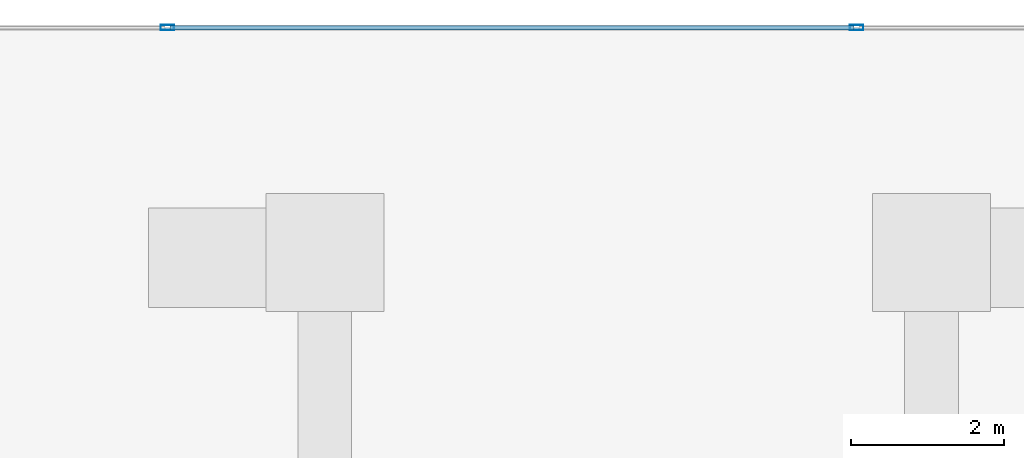
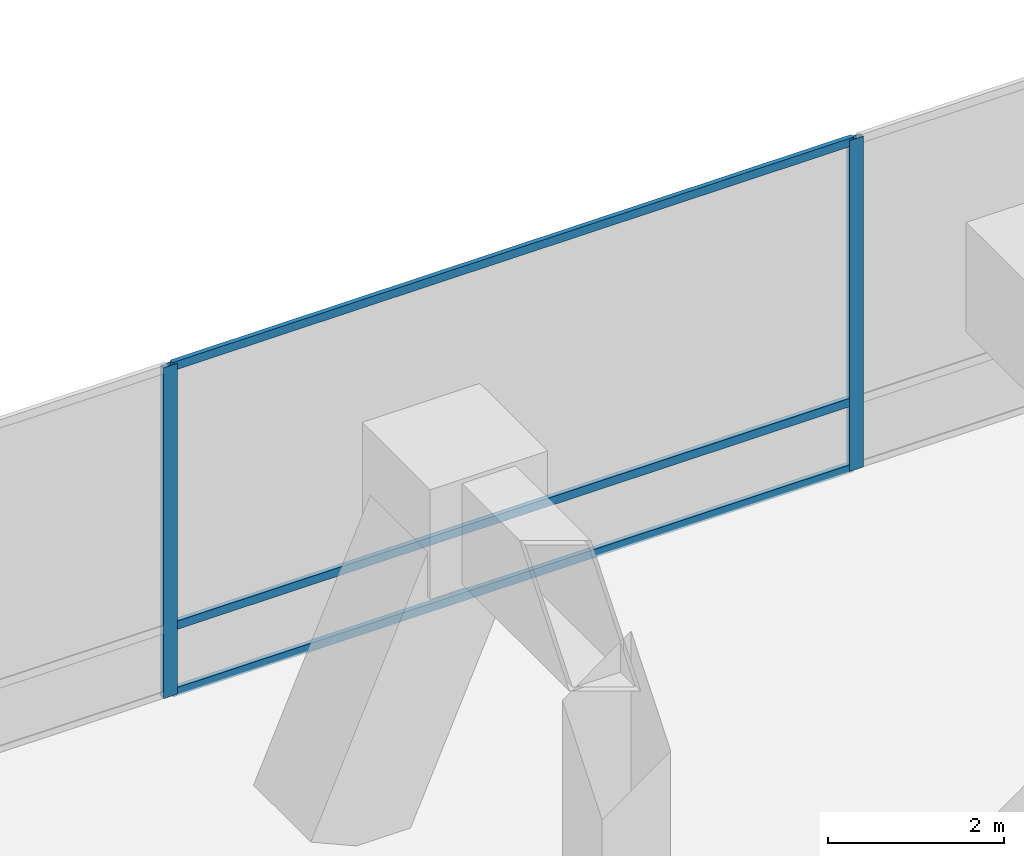
# One storey, part 23 of 45: 5 members, 1 element without a shape of its own.
"""IFC4 building model written with IfcOpenShell, lengths in metres."""

from ifc_helpers import new_model, si_unit, direction, frame, origin, origin_2d, place, context, subcontext, project, spatial, hollow_rectangle, extrude, material, layer, layer_set, material_profile, profile_set, type_object, element, aggregate, save


model = new_model("IFC4")

# Units and contexts
model_context = context("Model", 3, precision=1e-05, world=origin(), true_north=direction((0.0, 1.0)))
body_context = subcontext(model_context, "Body", "Model", "MODEL_VIEW")
ifc_project = project(units=[si_unit("LENGTHUNIT", "METRE"), si_unit("AREAUNIT", "SQUARE_METRE"), si_unit("VOLUMEUNIT", "CUBIC_METRE"), si_unit("PLANEANGLEUNIT", "RADIAN"), si_unit("MASSUNIT", "GRAM", prefix="KILO")], contexts=[model_context])

# Site, building, storey
site_placement = place(None, origin())
site = spatial("IfcSite", under=ifc_project, at=site_placement, CompositionType="ELEMENT")
building_placement = place(site_placement, origin())
building = spatial("IfcBuilding", under=site, at=building_placement, Name="Qianvela Tower", CompositionType="ELEMENT")
storey_placement = place(building_placement, frame((0.0, 0.0, 11.0)))
storey = spatial("IfcBuildingStorey", under=building, at=storey_placement, Name="L02", CompositionType="ELEMENT", Elevation=11.0)

# Curtain wall, members
ifc_material_1 = material(Name="Anodised Architectural Aluminium and Low-E Glass", Category="aluminium")
ifc_layer = layer(ifc_material_1, 0.179931640625)
ifc_layer_set = layer_set([ifc_layer], Name="Anodised Architectural Aluminium and Low-E Glass")
curtain_wall_type = type_object("IfcCurtainWallType", Name="CW-COMMONS", PredefinedType="USERDEFINED", material=ifc_layer_set)
curtain_wall_placement = place(storey_placement, origin())
curtain_wall = element("IfcCurtainWall", 1, at=curtain_wall_placement, inside=storey, type_object=curtain_wall_type, Name="L02 CW-COMMONS Curtain Wall 05", ObjectType="CURTAIN_WALL_SYSTEM", PredefinedType="USERDEFINED")
ifc_material_2 = material(Name="Anodised Architectural Aluminium 6063-T6", Category="aluminium")
ifc_material_profile_1 = material_profile(ifc_material_2, hollow_rectangle(XDim=0.070068359375, YDim=0.179931640625, WallThickness=0.0048828125, at=origin_2d()), Name="ALU-MULL-70x180")
ifc_profile_set_1 = profile_set([ifc_material_profile_1], Name="Anodised Architectural Aluminium 6063-T6")
member_type_1 = type_object("IfcMemberType", Name="CW-COMMONS-MULL", PredefinedType="MULLION", material=ifc_profile_set_1)
member_1_placement = place(storey_placement, frame((50.978515625, 50.5, 0.0), z_axis=(0.0, 0.0, 1.0), x_axis=(0.0, -1.0, 0.0)))
member_1 = element("IfcMember", 2, at=member_1_placement, type_object=member_type_1, Name="CW-2 mullion 3", PredefinedType="MULLION", context=body_context, shape_type="SweptSolid", body=[
    extrude(hollow_rectangle(XDim=0.070068359375, YDim=0.179931640625, WallThickness=0.0048828125, at=origin_2d()), origin(), (0.0, 0.0, 1.0), 4.580078125),
])
member_2_placement = place(storey_placement, frame((41.992919921875, 50.5, 0.0), z_axis=(0.0, 0.0, 1.0), x_axis=(0.0, -1.0, 0.0)))
member_2 = element("IfcMember", 3, at=member_2_placement, type_object=member_type_1, Name="CW-2 mullion 4", PredefinedType="MULLION", context=body_context, shape_type="SweptSolid", body=[
    extrude(hollow_rectangle(XDim=0.070068359375, YDim=0.179931640625, WallThickness=0.0048828125, at=origin_2d()), origin(), (0.0, 0.0, 1.0), 4.580078125),
])
ifc_material_3 = material(Name="Anodised Architectural Aluminium 6063-T6", Category="aluminium")
ifc_material_profile_2 = material_profile(ifc_material_3, hollow_rectangle(XDim=0.06005859375, YDim=0.114990234375, WallThickness=0.00390625, at=origin_2d()), Name="ALU-TRAN-60x115")
ifc_profile_set_2 = profile_set([ifc_material_profile_2], Name="Anodised Architectural Aluminium 6063-T6")
member_type_2 = type_object("IfcMemberType", Name="CW-COMMONS-TRAN", PredefinedType="USERDEFINED", material=ifc_profile_set_2)
member_3_placement = place(storey_placement, frame((50.943603515625, 50.5, 0.030029296875), z_axis=(-1.0, 0.0, 0.0), x_axis=(0.0, -1.0, 0.0)))
member_3 = element("IfcMember", 4, at=member_3_placement, type_object=member_type_2, Name="CW-2 transom 3.1", ObjectType="TRANSOM", PredefinedType="USERDEFINED", context=body_context, shape_type="SweptSolid", body=[
    extrude(hollow_rectangle(XDim=0.06005859375, YDim=0.114990234375, WallThickness=0.00390625, at=origin_2d()), origin(), (0.0, 0.0, 1.0), 8.915771484375),
])
member_4_placement = place(storey_placement, frame((50.943603515625, 50.5, 0.949951171875), z_axis=(-1.0, 0.0, 0.0), x_axis=(0.0, -1.0, 0.0)))
member_4 = element("IfcMember", 5, at=member_4_placement, type_object=member_type_2, Name="CW-2 transom 3.2", ObjectType="TRANSOM", PredefinedType="USERDEFINED", context=body_context, shape_type="SweptSolid", body=[
    extrude(hollow_rectangle(XDim=0.06005859375, YDim=0.114990234375, WallThickness=0.00390625, at=origin_2d()), origin(), (0.0, 0.0, 1.0), 8.915771484375),
])
member_5_placement = place(storey_placement, frame((50.943603515625, 50.5, 4.550048828125), z_axis=(-1.0, 0.0, 0.0), x_axis=(0.0, -1.0, 0.0)))
member_5 = element("IfcMember", 6, at=member_5_placement, type_object=member_type_2, Name="CW-2 transom 3.3", ObjectType="TRANSOM", PredefinedType="USERDEFINED", context=body_context, shape_type="SweptSolid", body=[
    extrude(hollow_rectangle(XDim=0.06005859375, YDim=0.114990234375, WallThickness=0.00390625, at=origin_2d()), origin(), (0.0, 0.0, 1.0), 8.915771484375),
])
aggregate(curtain_wall, [member_1, member_2, member_3, member_4, member_5])

save(model, "model.ifc")
